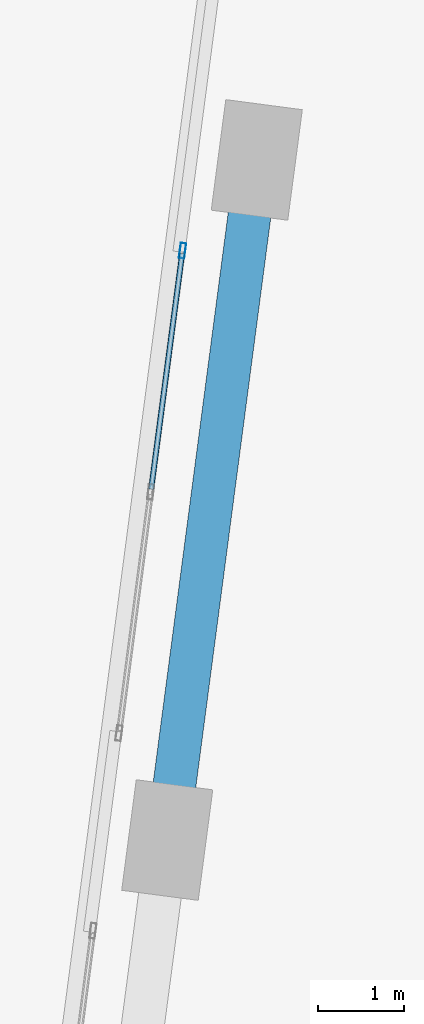
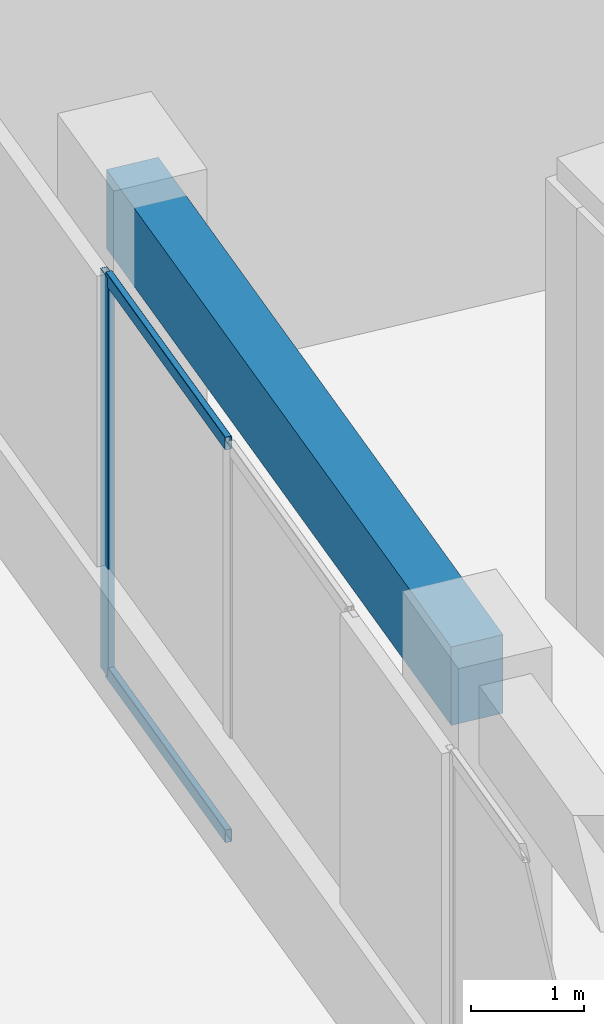
# One storey, part 8 of 24: 3 members, 1 beam, 1 element without a shape of its own.
"""IFC4 building model written with IfcOpenShell, lengths in metres."""

from ifc_helpers import new_model, si_unit, direction, frame, origin, origin_2d, place, context, subcontext, project, spatial, rectangle, hollow_rectangle, extrude, source, transform, mapped, material, material_profile, profile_set, type_object, element, aggregate, save


model = new_model("IFC4")

# Units and contexts
model_context = context("Model", 3, precision=1e-05, world=origin(), true_north=direction((0.0, 1.0)))
body_context = subcontext(model_context, "Body", "Model", "MODEL_VIEW")
ifc_project = project(units=[si_unit("LENGTHUNIT", "METRE"), si_unit("AREAUNIT", "SQUARE_METRE"), si_unit("VOLUMEUNIT", "CUBIC_METRE"), si_unit("PLANEANGLEUNIT", "RADIAN"), si_unit("MASSUNIT", "GRAM", prefix="KILO")], contexts=[model_context])

# Site, building, storey
site_placement = place(None, origin())
site = spatial("IfcSite", under=ifc_project, at=site_placement, CompositionType="ELEMENT")
building_placement = place(site_placement, origin())
building = spatial("IfcBuilding", under=site, at=building_placement, Name="Torre Montelarca", CompositionType="ELEMENT")
storey_placement = place(building_placement, frame((0.0, 0.0, 61.60009765625)))
storey = spatial("IfcBuildingStorey", under=building, at=storey_placement, Name="L13", CompositionType="ELEMENT", Elevation=61.60009765625)

# Beam
ifc_material_1 = material(Name="Concrete C55/67", Category="concrete")
ifc_material_profile_1 = material_profile(ifc_material_1, rectangle(XDim=0.5, YDim=0.85009765625, at=origin_2d()), Name="RCB500X850", Category="concrete")
ifc_profile_set_1 = profile_set([ifc_material_profile_1], Name="Concrete C55/67")
beam_type = type_object("IfcBeamType", Name="BM-SP-RC850-EXT", PredefinedType="SPANDREL", material=ifc_profile_set_1)
shared_shape_1 = source(origin(), body_context, "Body", "SweptSolid", [
    extrude(rectangle(XDim=0.5, YDim=0.85009765625, at=origin_2d()), origin(), (0.0, 0.0, 1.0), 7.999755859375),
])
beam_placement = place(storey_placement, frame((4.794189453125, 34.199462890625, 4.135009765625), z_axis=(0.130526351537, 0.991444840399, 0.0), x_axis=(-0.991444840399, 0.130526351537, 0.0)))
element("IfcBeam", 1, at=beam_placement, inside=storey, type_object=beam_type, Name="L13 Grid Girder Y 32.0-40.0 at X=4.7", PredefinedType="SPANDREL", context=body_context, shape_type="MappedRepresentation", body=[
    mapped(shared_shape_1, transform((0.0, 0.0, 0.0), scale=1.0)),
])

# Curtain wall, members
ifc_material_2 = material(Name="Insulated low-E laminated glass", Category="glass")
curtain_wall_type = type_object("IfcCurtainWallType", Name="CW-SYS-Z1", PredefinedType="USERDEFINED", material=ifc_material_2)
curtain_wall_placement = place(storey_placement, origin())
curtain_wall = element("IfcCurtainWall", 2, at=curtain_wall_placement, inside=storey, type_object=curtain_wall_type, Name="L13 Curtain Wall Run CW-T3-L13-E10-B1", ObjectType="UNITISED GLAZING", PredefinedType="USERDEFINED")
ifc_material_3 = material(Name="Anodised aluminium AA 6063-T6", Category="aluminium")
ifc_material_profile_2 = material_profile(ifc_material_3, hollow_rectangle(XDim=0.06494140625, YDim=0.139892578125, WallThickness=0.00390625, InnerFilletRadius=0.00390625, OuterFilletRadius=0.008056640625, at=origin_2d()), Name="ALU65X140X4", Category="aluminium")
ifc_profile_set_2 = profile_set([ifc_material_profile_2], Name="Anodised aluminium AA 6063-T6")
member_type_1 = type_object("IfcMemberType", Name="CWT-ALU140", PredefinedType="USERDEFINED", material=ifc_profile_set_2)
shared_shape_2 = source(origin(), body_context, "Body", "SweptSolid", [
    extrude(hollow_rectangle(XDim=0.06494140625, YDim=0.139892578125, WallThickness=0.00390625, InnerFilletRadius=0.00390625, OuterFilletRadius=0.008056640625, at=origin_2d()), origin(), (0.0, 0.0, 1.0), 2.7724609375),
])
member_1_placement = place(storey_placement, frame((4.968505859375, 41.0400390625, 0.032470703125), z_axis=(-0.130502348019, -0.991448000231, 0.0), x_axis=(0.991448000231, -0.130502348019, 0.0)))
member_1 = element("IfcMember", 3, at=member_1_placement, type_object=member_type_1, Name="CW transom 1.1", ObjectType="TRANSOM", PredefinedType="USERDEFINED", context=body_context, shape_type="MappedRepresentation", body=[
    mapped(shared_shape_2, transform((0.0, 0.0, 0.0), scale=1.0)),
])
member_2_placement = place(storey_placement, frame((4.968505859375, 41.0400390625, 4.287353515625), z_axis=(-0.130502348019, -0.991448000231, 0.0), x_axis=(0.991448000231, -0.130502348019, 0.0)))
member_2 = element("IfcMember", 4, at=member_2_placement, type_object=member_type_1, Name="CW transom 1.2", ObjectType="TRANSOM", PredefinedType="USERDEFINED", context=body_context, shape_type="MappedRepresentation", body=[
    mapped(shared_shape_2, transform((0.0, 0.0, 0.0), scale=1.0)),
])
ifc_material_profile_3 = material_profile(ifc_material_3, hollow_rectangle(XDim=0.06494140625, YDim=0.179931640625, WallThickness=0.00390625, InnerFilletRadius=0.00390625, OuterFilletRadius=0.008056640625, at=origin_2d()), Name="ALU65X180X4", Category="aluminium")
ifc_profile_set_3 = profile_set([ifc_material_profile_3], Name="Anodised aluminium AA 6063-T6")
member_type_2 = type_object("IfcMemberType", Name="CWM-ALU180", PredefinedType="MULLION", material=ifc_profile_set_3)
shared_shape_3 = source(origin(), body_context, "Body", "SweptSolid", [
    extrude(hollow_rectangle(XDim=0.06494140625, YDim=0.179931640625, WallThickness=0.00390625, InnerFilletRadius=0.00390625, OuterFilletRadius=0.008056640625, at=origin_2d()), origin(), (0.0, 0.0, 1.0), 4.31982421875),
])
member_3_placement = place(storey_placement, frame((4.972900390625, 41.072265625, 0.0), z_axis=(0.0, 0.0, 1.0), x_axis=(0.991442787809, -0.13054194154, 0.0)))
member_3 = element("IfcMember", 5, at=member_3_placement, type_object=member_type_2, Name="CW mullion 1", PredefinedType="MULLION", context=body_context, shape_type="MappedRepresentation", body=[
    mapped(shared_shape_3, transform((0.0, 0.0, 0.0), scale=1.0)),
])
aggregate(curtain_wall, [member_3, member_1, member_2])

save(model, "model.ifc")
